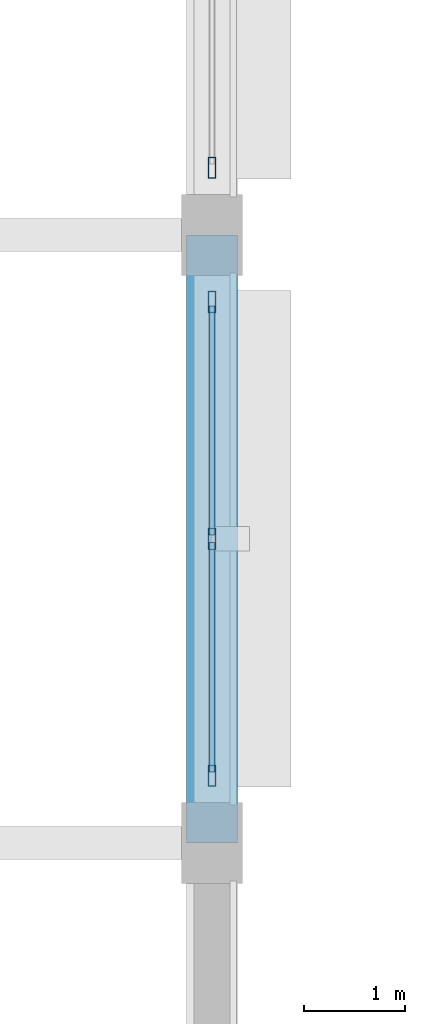
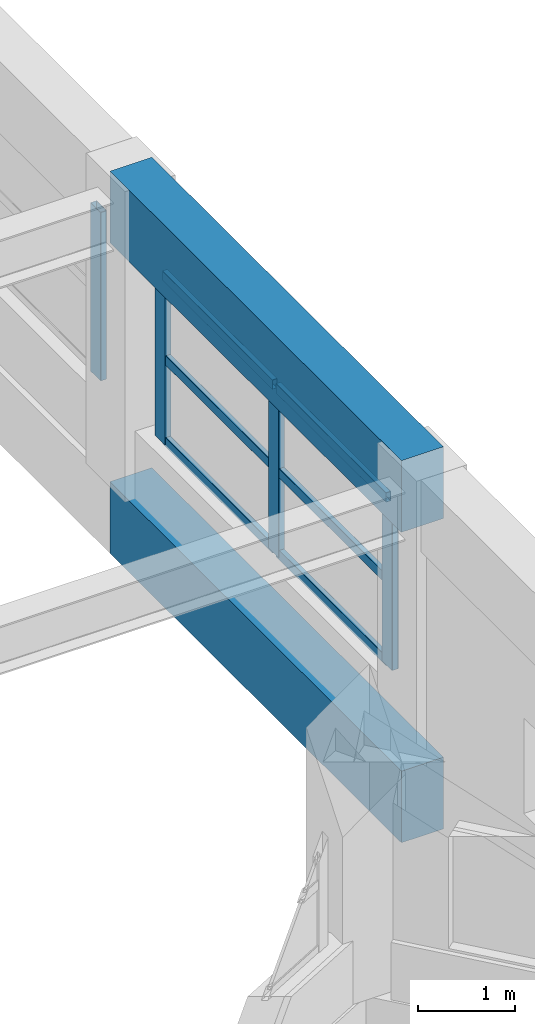
# One storey, part 9 of 108: 10 members, 2 beams, 2 elements without a shape of their own.
"""IFC4 building model written with IfcOpenShell, lengths in metres."""

from ifc_helpers import new_model, si_unit, direction, frame, origin, origin_2d, place, context, subcontext, project, spatial, rectangle, hollow_rectangle, extrude, material, layer, layer_set, material_profile, profile_set, type_object, element, aggregate, save


model = new_model("IFC4")

# Units and contexts
model_context = context("Model", 3, precision=1e-05, world=origin(), true_north=direction((0.0, 1.0)))
body_context = subcontext(model_context, "Body", "Model", "MODEL_VIEW")
ifc_project = project(units=[si_unit("LENGTHUNIT", "METRE"), si_unit("AREAUNIT", "SQUARE_METRE"), si_unit("VOLUMEUNIT", "CUBIC_METRE"), si_unit("PLANEANGLEUNIT", "RADIAN"), si_unit("MASSUNIT", "GRAM", prefix="KILO")], contexts=[model_context])

# Site, building, storey
site_placement = place(None, origin())
site = spatial("IfcSite", under=ifc_project, at=site_placement, CompositionType="ELEMENT")
building_placement = place(site_placement, origin())
building = spatial("IfcBuilding", under=site, at=building_placement, Name="Vespera Passage Community Centre", CompositionType="ELEMENT")
storey_placement = place(building_placement, frame((0.0, 0.0, 12.60009765625)))
storey = spatial("IfcBuildingStorey", under=building, at=storey_placement, Name="L03", CompositionType="ELEMENT", Elevation=12.60009765625)

# Beams
ifc_material_1 = material(Name="Concrete f'c 45 MPa", Category="concrete")
ifc_material_profile_1 = material_profile(ifc_material_1, rectangle(XDim=0.5, YDim=0.89990234375, at=origin_2d()), Name="RC500X900")
ifc_profile_set_1 = profile_set([ifc_material_profile_1], Name="Concrete f'c 45 MPa")
beam_type = type_object("IfcBeamType", Name="BM-SP-500X900E", PredefinedType="SPANDREL", material=ifc_profile_set_1)
for number, where, z_axis, x_axis, name in (
    (1, (31.949951171875, 13.0, 3.449951171875), (0.0, 1.0, 0.0), (-1.0, 0.0, 0.0), "Main Hall Eave Ring Girder E2"),
    (2, (31.949951171875, 13.0, -0.4501953125), (0.0, 1.0, 0.0), (-1.0, 0.0, 0.0), "V1 L03 Spandrel E2"),
):
    element("IfcBeam", number, at=place(storey_placement, frame(where, z_axis=z_axis, x_axis=x_axis)), inside=storey, type_object=beam_type, Name=name, PredefinedType="SPANDREL", context=body_context, shape_type="SweptSolid", body=[
        extrude(rectangle(XDim=0.5, YDim=0.89990234375, at=origin_2d()), origin(), (0.0, 0.0, 1.0), 6.0),
    ])

# Curtain wall, members
ifc_material_2 = material(Name="Anodized aluminium 6063-T6", Category="aluminium")
ifc_layer = layer(ifc_material_2, 0.159912109375)
ifc_layer_set = layer_set([ifc_layer], Name="Anodized aluminium 6063-T6")
curtain_wall_type = type_object("IfcCurtainWallType", Name="CW-86E", PredefinedType="NOTDEFINED", material=ifc_layer_set)
curtain_wall_1_placement = place(storey_placement, origin())
curtain_wall_1 = element("IfcCurtainWall", 3, at=curtain_wall_1_placement, inside=storey, type_object=curtain_wall_type, Name="Main Hall Acoustic Curtain Wall L03 E2", PredefinedType="NOTDEFINED")
ifc_material_3 = material(Name="Anodized aluminium 6063-T6", Category="aluminium")
ifc_material_profile_2 = material_profile(ifc_material_3, hollow_rectangle(XDim=0.074951171875, YDim=0.2099609375, WallThickness=0.0048828125, InnerFilletRadius=0.00244140625, OuterFilletRadius=0.0048828125, at=origin_2d()), Name="ALU210X75X5")
ifc_profile_set_2 = profile_set([ifc_material_profile_2], Name="Anodized aluminium 6063-T6")
member_type_1 = type_object("IfcMemberType", Name="MB-CWM-210E", PredefinedType="MULLION", material=ifc_profile_set_2)
member_1_placement = place(storey_placement, frame((31.949951171875, 18.33740234375, 0.849853515625), z_axis=(0.0, 0.0, 1.0), x_axis=(1.0, 0.0, 0.0)))
member_1 = element("IfcMember", 4, at=member_1_placement, type_object=member_type_1, Name="CW-86E mullion 1", PredefinedType="MULLION", context=body_context, shape_type="SweptSolid", body=[
    extrude(hollow_rectangle(XDim=0.074951171875, YDim=0.2099609375, WallThickness=0.0048828125, InnerFilletRadius=0.00244140625, OuterFilletRadius=0.0048828125, at=origin_2d()), origin(), (0.0, 0.0, 1.0), 2.114990234375),
])
member_2_placement = place(storey_placement, frame((31.949951171875, 16.0, 0.849853515625), z_axis=(0.0, 0.0, 1.0), x_axis=(1.0, 0.0, 0.0)))
member_2 = element("IfcMember", 5, at=member_2_placement, type_object=member_type_1, Name="CW-86E mullion 2", PredefinedType="MULLION", context=body_context, shape_type="SweptSolid", body=[
    extrude(hollow_rectangle(XDim=0.074951171875, YDim=0.2099609375, WallThickness=0.0048828125, InnerFilletRadius=0.00244140625, OuterFilletRadius=0.0048828125, at=origin_2d()), origin(), (0.0, 0.0, 1.0), 2.114990234375),
])
member_3_placement = place(storey_placement, frame((31.949951171875, 13.66259765625, 0.849853515625), z_axis=(0.0, 0.0, 1.0), x_axis=(1.0, 0.0, 0.0)))
member_3 = element("IfcMember", 6, at=member_3_placement, type_object=member_type_1, Name="CW-86E mullion 3", PredefinedType="MULLION", context=body_context, shape_type="SweptSolid", body=[
    extrude(hollow_rectangle(XDim=0.074951171875, YDim=0.2099609375, WallThickness=0.0048828125, InnerFilletRadius=0.00244140625, OuterFilletRadius=0.0048828125, at=origin_2d()), origin(), (0.0, 0.0, 1.0), 2.114990234375),
])

# Curtain wall, member
curtain_wall_2_placement = place(storey_placement, origin())
curtain_wall_2 = element("IfcCurtainWall", 7, at=curtain_wall_2_placement, inside=storey, type_object=curtain_wall_type, Name="Main Hall Acoustic Curtain Wall L03 E3", PredefinedType="NOTDEFINED")
member_4_placement = place(storey_placement, frame((31.949951171875, 19.66259765625, 0.849853515625), z_axis=(0.0, 0.0, 1.0), x_axis=(1.0, 0.0, 0.0)))
member_4 = element("IfcMember", 8, at=member_4_placement, type_object=member_type_1, Name="CW-86E mullion 3", PredefinedType="MULLION", context=body_context, shape_type="SweptSolid", body=[
    extrude(hollow_rectangle(XDim=0.074951171875, YDim=0.2099609375, WallThickness=0.0048828125, InnerFilletRadius=0.00244140625, OuterFilletRadius=0.0048828125, at=origin_2d()), origin(), (0.0, 0.0, 1.0), 2.114990234375),
])
aggregate(curtain_wall_2, [member_4])

# Member
ifc_material_4 = material(Name="Anodized aluminium 6063-T6", Category="aluminium")
ifc_material_profile_3 = material_profile(ifc_material_4, hollow_rectangle(XDim=0.06005859375, YDim=0.1201171875, WallThickness=0.00390625, InnerFilletRadius=0.001953125, OuterFilletRadius=0.00390625, at=origin_2d()), Name="ALU120X60X4")
ifc_profile_set_3 = profile_set([ifc_material_profile_3], Name="Anodized aluminium 6063-T6")
member_type_2 = type_object("IfcMemberType", Name="MB-CWT-120E", PredefinedType="USERDEFINED", material=ifc_profile_set_3)
member_5_placement = place(storey_placement, frame((31.949951171875, 18.300048828125, 0.8798828125), z_axis=(0.0, -1.0, 0.0), x_axis=(1.0, 0.0, 0.0)))
member_5 = element("IfcMember", 9, at=member_5_placement, type_object=member_type_2, Name="CW-86E transom 1.1", ObjectType="TRANSOM", PredefinedType="USERDEFINED", context=body_context, shape_type="SweptSolid", body=[
    extrude(hollow_rectangle(XDim=0.06005859375, YDim=0.1201171875, WallThickness=0.00390625, InnerFilletRadius=0.001953125, OuterFilletRadius=0.00390625, at=origin_2d()), origin(), (0.0, 0.0, 1.0), 2.262451171875),
])

member_6_placement = place(storey_placement, frame((31.949951171875, 18.300048828125, 1.907470703125), z_axis=(0.0, -1.0, 0.0), x_axis=(1.0, 0.0, 0.0)))
member_6 = element("IfcMember", 10, at=member_6_placement, type_object=member_type_2, Name="CW-86E transom 1.2", ObjectType="TRANSOM", PredefinedType="USERDEFINED", context=body_context, shape_type="SweptSolid", body=[
    extrude(hollow_rectangle(XDim=0.06005859375, YDim=0.1201171875, WallThickness=0.00390625, InnerFilletRadius=0.001953125, OuterFilletRadius=0.00390625, at=origin_2d()), origin(), (0.0, 0.0, 1.0), 2.262451171875),
])

member_7_placement = place(storey_placement, frame((31.949951171875, 18.300048828125, 2.934814453125), z_axis=(0.0, -1.0, 0.0), x_axis=(1.0, 0.0, 0.0)))
member_7 = element("IfcMember", 11, at=member_7_placement, type_object=member_type_2, Name="CW-86E transom 1.3", ObjectType="TRANSOM", PredefinedType="USERDEFINED", context=body_context, shape_type="SweptSolid", body=[
    extrude(hollow_rectangle(XDim=0.06005859375, YDim=0.1201171875, WallThickness=0.00390625, InnerFilletRadius=0.001953125, OuterFilletRadius=0.00390625, at=origin_2d()), origin(), (0.0, 0.0, 1.0), 2.262451171875),
])

member_8_placement = place(storey_placement, frame((31.949951171875, 15.96240234375, 0.8798828125), z_axis=(0.0, -1.0, 0.0), x_axis=(1.0, 0.0, 0.0)))
member_8 = element("IfcMember", 12, at=member_8_placement, type_object=member_type_2, Name="CW-86E transom 2.1", ObjectType="TRANSOM", PredefinedType="USERDEFINED", context=body_context, shape_type="SweptSolid", body=[
    extrude(hollow_rectangle(XDim=0.06005859375, YDim=0.1201171875, WallThickness=0.00390625, InnerFilletRadius=0.001953125, OuterFilletRadius=0.00390625, at=origin_2d()), origin(), (0.0, 0.0, 1.0), 2.262451171875),
])

member_9_placement = place(storey_placement, frame((31.949951171875, 15.96240234375, 1.907470703125), z_axis=(0.0, -1.0, 0.0), x_axis=(1.0, 0.0, 0.0)))
member_9 = element("IfcMember", 13, at=member_9_placement, type_object=member_type_2, Name="CW-86E transom 2.2", ObjectType="TRANSOM", PredefinedType="USERDEFINED", context=body_context, shape_type="SweptSolid", body=[
    extrude(hollow_rectangle(XDim=0.06005859375, YDim=0.1201171875, WallThickness=0.00390625, InnerFilletRadius=0.001953125, OuterFilletRadius=0.00390625, at=origin_2d()), origin(), (0.0, 0.0, 1.0), 2.262451171875),
])

member_10_placement = place(storey_placement, frame((31.949951171875, 15.96240234375, 2.934814453125), z_axis=(0.0, -1.0, 0.0), x_axis=(1.0, 0.0, 0.0)))
member_10 = element("IfcMember", 14, at=member_10_placement, type_object=member_type_2, Name="CW-86E transom 2.3", ObjectType="TRANSOM", PredefinedType="USERDEFINED", context=body_context, shape_type="SweptSolid", body=[
    extrude(hollow_rectangle(XDim=0.06005859375, YDim=0.1201171875, WallThickness=0.00390625, InnerFilletRadius=0.001953125, OuterFilletRadius=0.00390625, at=origin_2d()), origin(), (0.0, 0.0, 1.0), 2.262451171875),
])

aggregate(curtain_wall_1, [member_1, member_2, member_3, member_5, member_6, member_7, member_8, member_9, member_10])

save(model, "model.ifc")
